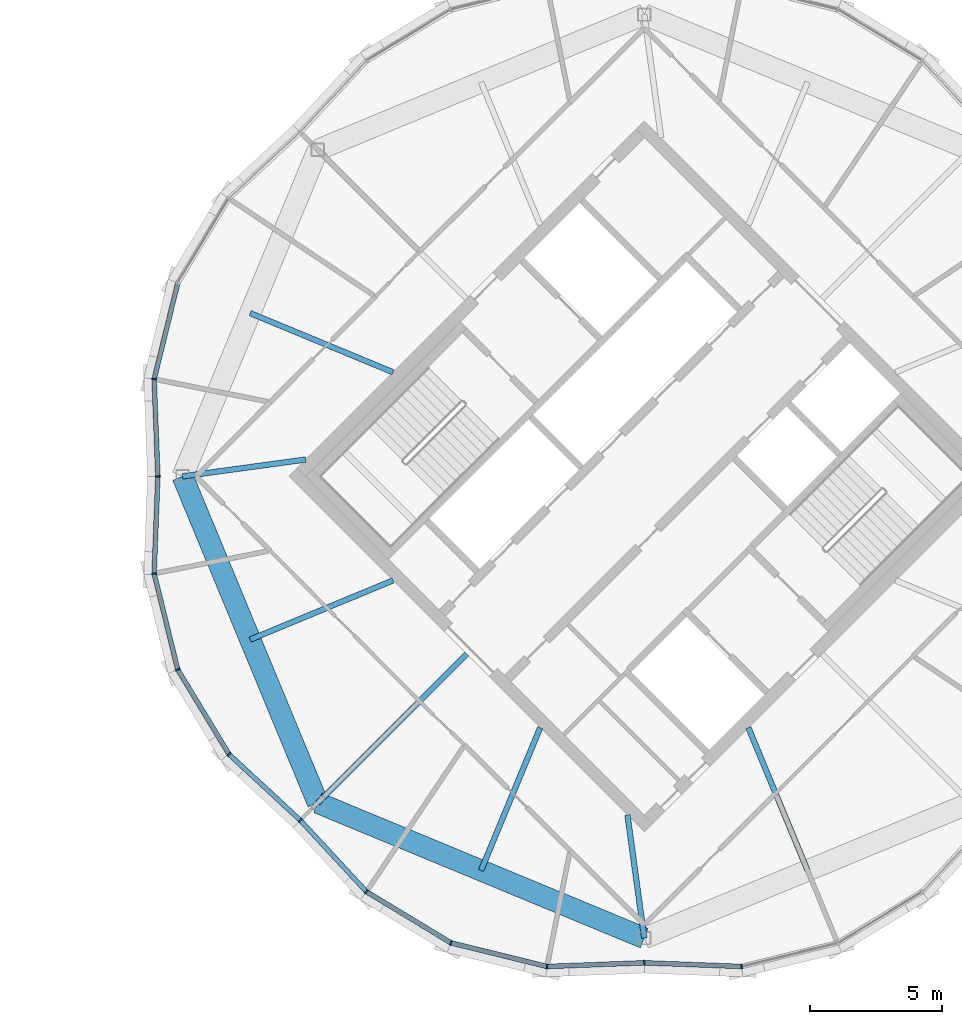
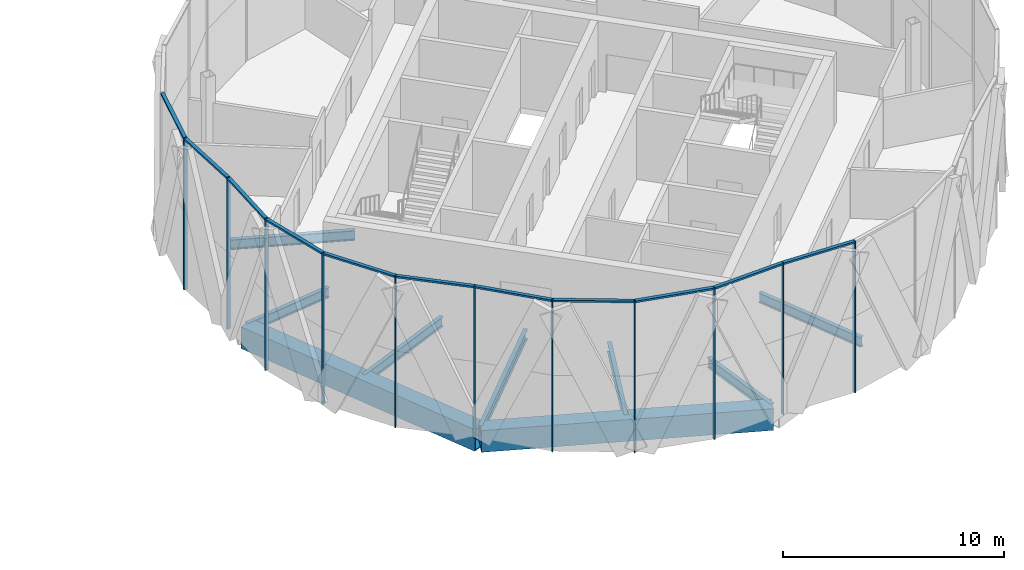
# One storey, part 8 of 22: 22 members, 9 beams, 4 elements without a shape of their own.
"""IFC4 building model written with IfcOpenShell, lengths in metres."""

from ifc_helpers import new_model, si_unit, direction, frame, origin, origin_2d, place, context, subcontext, project, spatial, rectangle, hollow_rectangle, i_section, extrude, material, material_profile, profile_set, type_object, element, aggregate, save


model = new_model("IFC4")

# Units and contexts
model_context = context("Model", 3, precision=1e-05, world=origin(), true_north=direction((0.0, 1.0)))
body_context = subcontext(model_context, "Body", "Model", "MODEL_VIEW")
ifc_project = project(units=[si_unit("LENGTHUNIT", "METRE"), si_unit("AREAUNIT", "SQUARE_METRE"), si_unit("VOLUMEUNIT", "CUBIC_METRE"), si_unit("PLANEANGLEUNIT", "RADIAN"), si_unit("MASSUNIT", "GRAM", prefix="KILO")], contexts=[model_context])

# Site, building, storey
site_placement = place(None, origin())
site = spatial("IfcSite", under=ifc_project, at=site_placement, CompositionType="ELEMENT")
building_placement = place(site_placement, origin())
building = spatial("IfcBuilding", under=site, at=building_placement, Name="Ogive Gate Towers", CompositionType="ELEMENT")
storey_placement = place(building_placement, frame((0.0, 0.0, 285.60009765625)))
storey = spatial("IfcBuildingStorey", under=building, at=storey_placement, Name="L67", CompositionType="ELEMENT", Elevation=285.60009765625)

# Beams
ifc_material_1 = material(Name="Steel SM460", Category="steel")
ifc_material_profile_1 = material_profile(ifc_material_1, hollow_rectangle(XDim=0.800048828125, YDim=1.199951171875, WallThickness=0.050048828125, at=origin_2d()), Name="BX 1200x800x50")
ifc_profile_set_1 = profile_set([ifc_material_profile_1], Name="Steel SM460")
beam_type_1 = type_object("IfcBeamType", Name="Edge girder BX 1200x800x50", PredefinedType="BEAM", material=ifc_profile_set_1)
for number, where, z_axis, x_axis, name in (
    (1, (23.657470703125, -12.342529296875, -0.900146484375), (0.923876732551, -0.382690191996, 0.0), (0.382690191996, 0.923876732551, 0.0), "T2/L67/SBM017"),
    (2, (18.544921875, 0.0, -0.900146484375), (0.382690191996, -0.923876732551, 0.0), (0.923876732551, 0.382690191996, 0.0), "T2/L67/SBM024"),
):
    element("IfcBeam", number, at=place(storey_placement, frame(where, z_axis=z_axis, x_axis=x_axis)), inside=storey, type_object=beam_type_1, Name=name, PredefinedType="BEAM", context=body_context, shape_type="SweptSolid", body=[
        extrude(hollow_rectangle(XDim=0.800048828125, YDim=1.199951171875, WallThickness=0.050048828125, at=origin_2d()), origin(), (0.0, 0.0, 1.0), 13.359619140625),
    ])
ifc_material_2 = material(Name="Steel SM355", Category="steel")
ifc_material_profile_2 = material_profile(ifc_material_2, i_section(OverallWidth=0.2099609375, OverallDepth=0.550048828125, WebThickness=0.010986328125, FlangeThickness=0.01708984375, FilletRadius=0.02392578125, at=origin_2d()), Name="IPE 550")
ifc_profile_set_2 = profile_set([ifc_material_profile_2], Name="Steel SM355")
beam_type_2 = type_object("IfcBeamType", Name="Radial floor beam IPE 550", PredefinedType="BEAM", material=ifc_profile_set_2)
beam_1_placement = place(storey_placement, frame((29.282470703125, -6.717529296875, -0.5751953125), z_axis=(-0.707106781187, -0.707106781187, 0.0), x_axis=(0.707106781187, -0.707106781187, 0.0)))
element("IfcBeam", 3, at=beam_1_placement, inside=storey, type_object=beam_type_2, Name="T2/L67/SBM001", PredefinedType="BEAM", context=body_context, shape_type="SweptSolid", body=[
    extrude(i_section(OverallWidth=0.2099609375, OverallDepth=0.550048828125, WebThickness=0.010986328125, FlangeThickness=0.01708984375, FilletRadius=0.02392578125, at=origin_2d()), origin(), (0.0, 0.0, 1.0), 7.954833984375),
])
beam_2_placement = place(storey_placement, frame((32.06494140625, -9.5, -0.5751953125), z_axis=(-0.382701102209, -0.923872213225, 0.0), x_axis=(0.923872213225, -0.382701102209, 0.0)))
element("IfcBeam", 4, at=beam_2_placement, inside=storey, type_object=beam_type_2, Name="T2/L67/SBM002", PredefinedType="BEAM", context=body_context, shape_type="SweptSolid", body=[
    extrude(i_section(OverallWidth=0.2099609375, OverallDepth=0.550048828125, WebThickness=0.010986328125, FlangeThickness=0.01708984375, FilletRadius=0.02392578125, at=origin_2d()), origin(), (0.0, 0.0, 1.0), 5.843505859375),
])
beam_3_placement = place(storey_placement, frame((35.363525390625, -12.798583984375, -0.5751953125), z_axis=(0.135426145155, -0.99078744401, 0.0), x_axis=(0.99078744401, 0.135426145155, 0.0)))
element("IfcBeam", 5, at=beam_3_placement, inside=storey, type_object=beam_type_2, Name="T2/L67/SBM003", PredefinedType="BEAM", context=body_context, shape_type="SweptSolid", body=[
    extrude(i_section(OverallWidth=0.2099609375, OverallDepth=0.550048828125, WebThickness=0.010986328125, FlangeThickness=0.01708984375, FilletRadius=0.02392578125, at=origin_2d()), origin(), (0.0, 0.0, 1.0), 4.69970703125),
])
for number, where, z_axis, x_axis, name in (
    (6, (39.93505859375, -9.5, -0.5751953125), (0.382701102209, -0.923872213225, 0.0), (0.923872213225, 0.382701102209, 0.0), "T2/L67/SBM004"),
    (7, (26.5, 3.93505859375, -0.5751953125), (-0.923872213225, 0.382701102209, 0.0), (-0.382701102209, -0.923872213225, 0.0), "T2/L67/SBM014"),
):
    element("IfcBeam", number, at=place(storey_placement, frame(where, z_axis=z_axis, x_axis=x_axis)), inside=storey, type_object=beam_type_2, Name=name, PredefinedType="BEAM", context=body_context, shape_type="SweptSolid", body=[
        extrude(i_section(OverallWidth=0.2099609375, OverallDepth=0.550048828125, WebThickness=0.010986328125, FlangeThickness=0.01708984375, FilletRadius=0.02392578125, at=origin_2d()), origin(), (0.0, 0.0, 1.0), 5.843505859375),
    ])
beam_4_placement = place(storey_placement, frame((23.201416015625, 0.636474609375, -0.5751953125), z_axis=(-0.99078744401, -0.135426145155, 0.0), x_axis=(0.135426145155, -0.99078744401, 0.0)))
element("IfcBeam", 8, at=beam_4_placement, inside=storey, type_object=beam_type_2, Name="T2/L67/SBM015", PredefinedType="BEAM", context=body_context, shape_type="SweptSolid", body=[
    extrude(i_section(OverallWidth=0.2099609375, OverallDepth=0.550048828125, WebThickness=0.010986328125, FlangeThickness=0.01708984375, FilletRadius=0.02392578125, at=origin_2d()), origin(), (0.0, 0.0, 1.0), 4.69970703125),
])
beam_5_placement = place(storey_placement, frame((26.5, -3.93505859375, -0.5751953125), z_axis=(-0.923872213225, -0.382701102209, 0.0), x_axis=(0.382701102209, -0.923872213225, 0.0)))
element("IfcBeam", 9, at=beam_5_placement, inside=storey, type_object=beam_type_2, Name="T2/L67/SBM016", PredefinedType="BEAM", context=body_context, shape_type="SweptSolid", body=[
    extrude(i_section(OverallWidth=0.2099609375, OverallDepth=0.550048828125, WebThickness=0.010986328125, FlangeThickness=0.01708984375, FilletRadius=0.02392578125, at=origin_2d()), origin(), (0.0, 0.0, 1.0), 5.843505859375),
])

# Curtain wall, members
ifc_material_3 = material(Name="Pale metal aluminium", Category="aluminium")
curtain_wall_type = type_object("IfcCurtainWallType", Name="Tower unitised wall, high zone", PredefinedType="NOTDEFINED", material=ifc_material_3)
curtain_wall_1_placement = place(storey_placement, origin())
curtain_wall_1 = element("IfcCurtainWall", 10, at=curtain_wall_1_placement, inside=storey, type_object=curtain_wall_type, Name="CW2 T2 ECW04", PredefinedType="NOTDEFINED")
ifc_material_profile_3 = material_profile(ifc_material_3, rectangle(XDim=0.179931640625, YDim=0.06005859375, at=origin_2d()), Name="60 x 180 aluminium box")
ifc_profile_set_3 = profile_set([ifc_material_profile_3], Name="Pale metal aluminium")
member_type_1 = type_object("IfcMemberType", Name="Tower unitised wall, high zone mullion 60 x 180", PredefinedType="MULLION", material=ifc_profile_set_3)
member_1_placement = place(storey_placement, frame((17.470703125, 3.677001953125, -0.300048828125), z_axis=(0.0, 0.0, 1.0), x_axis=(-0.99485068103, 0.101351479779, 0.0)))
member_1 = element("IfcMember", 11, at=member_1_placement, type_object=member_type_1, Name="CW2 mullion", PredefinedType="MULLION", context=body_context, shape_type="SweptSolid", body=[
    extrude(rectangle(XDim=0.179931640625, YDim=0.06005859375, at=origin_2d()), origin(), (0.0, 0.0, 1.0), 8.39990234375),
])
member_2_placement = place(storey_placement, frame((17.60986328125, 0.00048828125, -0.300048828125), z_axis=(0.0, 0.0, 1.0), x_axis=(-0.999285520255, -0.037794827812, 0.0)))
member_2 = element("IfcMember", 12, at=member_2_placement, type_object=member_type_1, Name="CW2 mullion", PredefinedType="MULLION", context=body_context, shape_type="SweptSolid", body=[
    extrude(rectangle(XDim=0.179931640625, YDim=0.06005859375, at=origin_2d()), origin(), (0.0, 0.0, 1.0), 8.39990234375),
])

curtain_wall_2_placement = place(storey_placement, origin())
curtain_wall_2 = element("IfcCurtainWall", 13, at=curtain_wall_2_placement, inside=storey, type_object=curtain_wall_type, Name="CW2 T2 ECW05", PredefinedType="NOTDEFINED")
member_3_placement = place(storey_placement, frame((17.470703125, -3.677001953125, -0.300048828125), z_axis=(0.0, 0.0, 1.0), x_axis=(-0.99485068103, -0.101351479779, 0.0)))
member_3 = element("IfcMember", 14, at=member_3_placement, type_object=member_type_1, Name="CW2 mullion", PredefinedType="MULLION", context=body_context, shape_type="SweptSolid", body=[
    extrude(rectangle(XDim=0.179931640625, YDim=0.06005859375, at=origin_2d()), origin(), (0.0, 0.0, 1.0), 8.39990234375),
])
member_4_placement = place(storey_placement, frame((18.362060546875, -7.305908203125, -0.300048828125), z_axis=(0.0, 0.0, 1.0), x_axis=(-0.923879532511, -0.382683432365, 0.0)))
member_4 = element("IfcMember", 15, at=member_4_placement, type_object=member_type_1, Name="CW2 mullion", PredefinedType="MULLION", context=body_context, shape_type="SweptSolid", body=[
    extrude(rectangle(XDim=0.179931640625, YDim=0.06005859375, at=origin_2d()), origin(), (0.0, 0.0, 1.0), 8.39990234375),
])
member_5_placement = place(storey_placement, frame((20.2978515625, -10.502197265625, -0.300048828125), z_axis=(0.0, 0.0, 1.0), x_axis=(-0.775120954363, -0.631812872699, 0.0)))
member_5 = element("IfcMember", 16, at=member_5_placement, type_object=member_type_1, Name="CW2 mullion", PredefinedType="MULLION", context=body_context, shape_type="SweptSolid", body=[
    extrude(rectangle(XDim=0.179931640625, YDim=0.06005859375, at=origin_2d()), origin(), (0.0, 0.0, 1.0), 8.39990234375),
])
member_6_placement = place(storey_placement, frame((22.99609375, -13.00341796875, -0.300048828125), z_axis=(0.0, 0.0, 1.0), x_axis=(-0.679863789608, -0.733338412727, 0.0)))
member_6 = element("IfcMember", 17, at=member_6_placement, type_object=member_type_1, Name="CW2 mullion", PredefinedType="MULLION", context=body_context, shape_type="SweptSolid", body=[
    extrude(rectangle(XDim=0.179931640625, YDim=0.06005859375, at=origin_2d()), origin(), (0.0, 0.0, 1.0), 8.39990234375),
])

curtain_wall_3_placement = place(storey_placement, origin())
curtain_wall_3 = element("IfcCurtainWall", 18, at=curtain_wall_3_placement, inside=storey, type_object=curtain_wall_type, Name="CW2 T2 ECW06", PredefinedType="NOTDEFINED")
member_7_placement = place(storey_placement, frame((25.497802734375, -15.7021484375, -0.300048828125), z_axis=(0.0, 0.0, 1.0), x_axis=(-0.631812872699, -0.775120954363, 0.0)))
member_7 = element("IfcMember", 19, at=member_7_placement, type_object=member_type_1, Name="CW2 mullion", PredefinedType="MULLION", context=body_context, shape_type="SweptSolid", body=[
    extrude(rectangle(XDim=0.179931640625, YDim=0.06005859375, at=origin_2d()), origin(), (0.0, 0.0, 1.0), 8.39990234375),
])
member_8_placement = place(storey_placement, frame((28.694091796875, -17.637939453125, -0.300048828125), z_axis=(0.0, 0.0, 1.0), x_axis=(-0.382683432365, -0.923879532511, 0.0)))
member_8 = element("IfcMember", 20, at=member_8_placement, type_object=member_type_1, Name="CW2 mullion", PredefinedType="MULLION", context=body_context, shape_type="SweptSolid", body=[
    extrude(rectangle(XDim=0.179931640625, YDim=0.06005859375, at=origin_2d()), origin(), (0.0, 0.0, 1.0), 8.39990234375),
])
member_9_placement = place(storey_placement, frame((32.322998046875, -18.529296875, -0.300048828125), z_axis=(0.0, 0.0, 1.0), x_axis=(-0.101351479779, -0.99485068103, 0.0)))
member_9 = element("IfcMember", 21, at=member_9_placement, type_object=member_type_1, Name="CW2 mullion", PredefinedType="MULLION", context=body_context, shape_type="SweptSolid", body=[
    extrude(rectangle(XDim=0.179931640625, YDim=0.06005859375, at=origin_2d()), origin(), (0.0, 0.0, 1.0), 8.39990234375),
])
member_10_placement = place(storey_placement, frame((35.99951171875, -18.39013671875, -0.300048828125), z_axis=(0.0, 0.0, 1.0), x_axis=(0.037794827812, -0.999285520255, 0.0)))
member_10 = element("IfcMember", 22, at=member_10_placement, type_object=member_type_1, Name="CW2 mullion", PredefinedType="MULLION", context=body_context, shape_type="SweptSolid", body=[
    extrude(rectangle(XDim=0.179931640625, YDim=0.06005859375, at=origin_2d()), origin(), (0.0, 0.0, 1.0), 8.39990234375),
])

# Curtain wall, member
curtain_wall_4_placement = place(storey_placement, origin())
curtain_wall_4 = element("IfcCurtainWall", 23, at=curtain_wall_4_placement, inside=storey, type_object=curtain_wall_type, Name="CW2 T2 ECW07", PredefinedType="NOTDEFINED")
member_11_placement = place(storey_placement, frame((39.677001953125, -18.529296875, -0.300048828125), z_axis=(0.0, 0.0, 1.0), x_axis=(0.101351479779, -0.99485068103, 0.0)))
member_11 = element("IfcMember", 24, at=member_11_placement, type_object=member_type_1, Name="CW2 mullion", PredefinedType="MULLION", context=body_context, shape_type="SweptSolid", body=[
    extrude(rectangle(XDim=0.179931640625, YDim=0.06005859375, at=origin_2d()), origin(), (0.0, 0.0, 1.0), 8.39990234375),
])

# Member
ifc_material_profile_4 = material_profile(ifc_material_3, rectangle(XDim=0.179931640625, YDim=0.10009765625, at=origin_2d()), Name="100 x 180 aluminium box")
ifc_profile_set_4 = profile_set([ifc_material_profile_4], Name="Pale metal aluminium")
member_type_2 = type_object("IfcMemberType", Name="Tower unitised wall, high zone transom 100 x 180", PredefinedType="USERDEFINED", material=ifc_profile_set_4)
member_12_placement = place(storey_placement, frame((18.35546875, 7.2783203125, 8.0498046875), z_axis=(-0.238506074242, -0.971141005493, 0.0), x_axis=(0.971141005493, -0.238506074242, 0.0)))
member_12 = element("IfcMember", 25, at=member_12_placement, type_object=member_type_2, Name="CW2 transom", ObjectType="TRANSOM", PredefinedType="USERDEFINED", context=body_context, shape_type="SweptSolid", body=[
    extrude(rectangle(XDim=0.179931640625, YDim=0.10009765625, at=origin_2d()), origin(), (0.0, 0.0, 1.0), 3.679931640625),
])

member_13_placement = place(storey_placement, frame((17.471923828125, 3.648193359375, 8.0498046875), z_axis=(0.03783225687, -0.999284103916, 0.0), x_axis=(0.999284103916, 0.03783225687, 0.0)))
member_13 = element("IfcMember", 26, at=member_13_placement, type_object=member_type_2, Name="CW2 transom", ObjectType="TRANSOM", PredefinedType="USERDEFINED", context=body_context, shape_type="SweptSolid", body=[
    extrude(rectangle(XDim=0.179931640625, YDim=0.10009765625, at=origin_2d()), origin(), (0.0, 0.0, 1.0), 3.620361328125),
])

aggregate(curtain_wall_1, [member_1, member_12, member_2, member_13])

member_14_placement = place(storey_placement, frame((17.60888671875, -0.030517578125, 8.0498046875), z_axis=(-0.03783225687, -0.999284103916, 0.0), x_axis=(0.999284103916, -0.03783225687, 0.0)))
member_14 = element("IfcMember", 27, at=member_14_placement, type_object=member_type_2, Name="CW2 transom", ObjectType="TRANSOM", PredefinedType="USERDEFINED", context=body_context, shape_type="SweptSolid", body=[
    extrude(rectangle(XDim=0.179931640625, YDim=0.10009765625, at=origin_2d()), origin(), (0.0, 0.0, 1.0), 3.620361328125),
])

member_15_placement = place(storey_placement, frame((17.477783203125, -3.70458984375, 8.0498046875), z_axis=(0.238506074242, -0.971141005493, 0.0), x_axis=(0.971141005493, 0.238506074242, 0.0)))
member_15 = element("IfcMember", 28, at=member_15_placement, type_object=member_type_2, Name="CW2 transom", ObjectType="TRANSOM", PredefinedType="USERDEFINED", context=body_context, shape_type="SweptSolid", body=[
    extrude(rectangle(XDim=0.179931640625, YDim=0.10009765625, at=origin_2d()), origin(), (0.0, 0.0, 1.0), 3.679931640625),
])

member_16_placement = place(storey_placement, frame((18.376953125, -7.330078125, 8.0498046875), z_axis=(0.518013498205, -0.855372442669, 0.0), x_axis=(0.855372442669, 0.518013498205, 0.0)))
member_16 = element("IfcMember", 29, at=member_16_placement, type_object=member_type_2, Name="CW2 transom", ObjectType="TRANSOM", PredefinedType="USERDEFINED", context=body_context, shape_type="SweptSolid", body=[
    extrude(rectangle(XDim=0.179931640625, YDim=0.10009765625, at=origin_2d()), origin(), (0.0, 0.0, 1.0), 3.679931640625),
])

member_17_placement = place(storey_placement, frame((20.31884765625, -10.521484375, 8.0498046875), z_axis=(0.733335999654, -0.679866392471, 0.0), x_axis=(0.679866392471, 0.733335999654, 0.0)))
member_17 = element("IfcMember", 30, at=member_17_placement, type_object=member_type_2, Name="CW2 transom", ObjectType="TRANSOM", PredefinedType="USERDEFINED", context=body_context, shape_type="SweptSolid", body=[
    extrude(rectangle(XDim=0.179931640625, YDim=0.10009765625, at=origin_2d()), origin(), (0.0, 0.0, 1.0), 3.620849609375),
])

aggregate(curtain_wall_2, [member_3, member_14, member_4, member_15, member_5, member_16, member_6, member_17])

member_18_placement = place(storey_placement, frame((23.016845703125, -13.02587890625, 8.0498046875), z_axis=(0.679866392471, -0.733335999654, 0.0), x_axis=(0.733335999654, 0.679866392471, 0.0)))
member_18 = element("IfcMember", 31, at=member_18_placement, type_object=member_type_2, Name="CW2 transom", ObjectType="TRANSOM", PredefinedType="USERDEFINED", context=body_context, shape_type="SweptSolid", body=[
    extrude(rectangle(XDim=0.179931640625, YDim=0.10009765625, at=origin_2d()), origin(), (0.0, 0.0, 1.0), 3.620849609375),
])

member_19_placement = place(storey_placement, frame((25.522216796875, -15.716796875, 8.0498046875), z_axis=(0.855372442669, -0.518013498205, 0.0), x_axis=(0.518013498205, 0.855372442669, 0.0)))
member_19 = element("IfcMember", 32, at=member_19_placement, type_object=member_type_2, Name="CW2 transom", ObjectType="TRANSOM", PredefinedType="USERDEFINED", context=body_context, shape_type="SweptSolid", body=[
    extrude(rectangle(XDim=0.179931640625, YDim=0.10009765625, at=origin_2d()), origin(), (0.0, 0.0, 1.0), 3.679931640625),
])

member_20_placement = place(storey_placement, frame((28.7216796875, -17.64453125, 8.0498046875), z_axis=(0.971141005493, -0.238506074242, 0.0), x_axis=(0.238506074242, 0.971141005493, 0.0)))
member_20 = element("IfcMember", 33, at=member_20_placement, type_object=member_type_2, Name="CW2 transom", ObjectType="TRANSOM", PredefinedType="USERDEFINED", context=body_context, shape_type="SweptSolid", body=[
    extrude(rectangle(XDim=0.179931640625, YDim=0.10009765625, at=origin_2d()), origin(), (0.0, 0.0, 1.0), 3.679931640625),
])

member_21_placement = place(storey_placement, frame((32.351806640625, -18.528076171875, 8.0498046875), z_axis=(0.999284103916, 0.03783225687, 0.0), x_axis=(-0.03783225687, 0.999284103916, 0.0)))
member_21 = element("IfcMember", 34, at=member_21_placement, type_object=member_type_2, Name="CW2 transom", ObjectType="TRANSOM", PredefinedType="USERDEFINED", context=body_context, shape_type="SweptSolid", body=[
    extrude(rectangle(XDim=0.179931640625, YDim=0.10009765625, at=origin_2d()), origin(), (0.0, 0.0, 1.0), 3.620361328125),
])

aggregate(curtain_wall_3, [member_7, member_18, member_8, member_19, member_9, member_20, member_10, member_21])

member_22_placement = place(storey_placement, frame((36.030517578125, -18.39111328125, 8.0498046875), z_axis=(0.999284103916, -0.03783225687, 0.0), x_axis=(0.03783225687, 0.999284103916, 0.0)))
member_22 = element("IfcMember", 35, at=member_22_placement, type_object=member_type_2, Name="CW2 transom", ObjectType="TRANSOM", PredefinedType="USERDEFINED", context=body_context, shape_type="SweptSolid", body=[
    extrude(rectangle(XDim=0.179931640625, YDim=0.10009765625, at=origin_2d()), origin(), (0.0, 0.0, 1.0), 3.620361328125),
])

aggregate(curtain_wall_4, [member_11, member_22])

save(model, "model.ifc")
